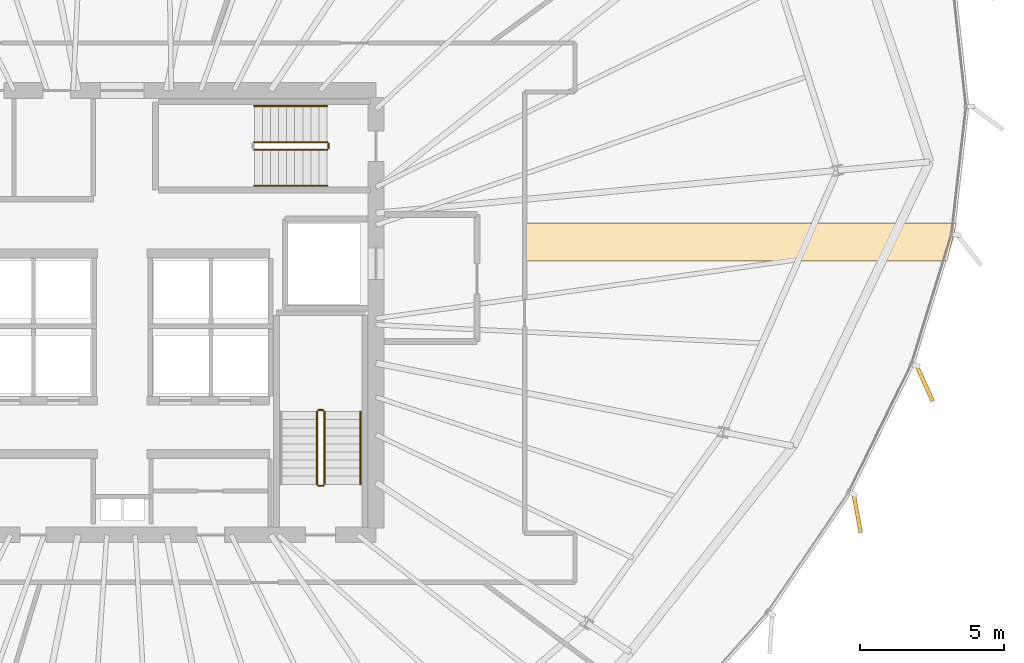
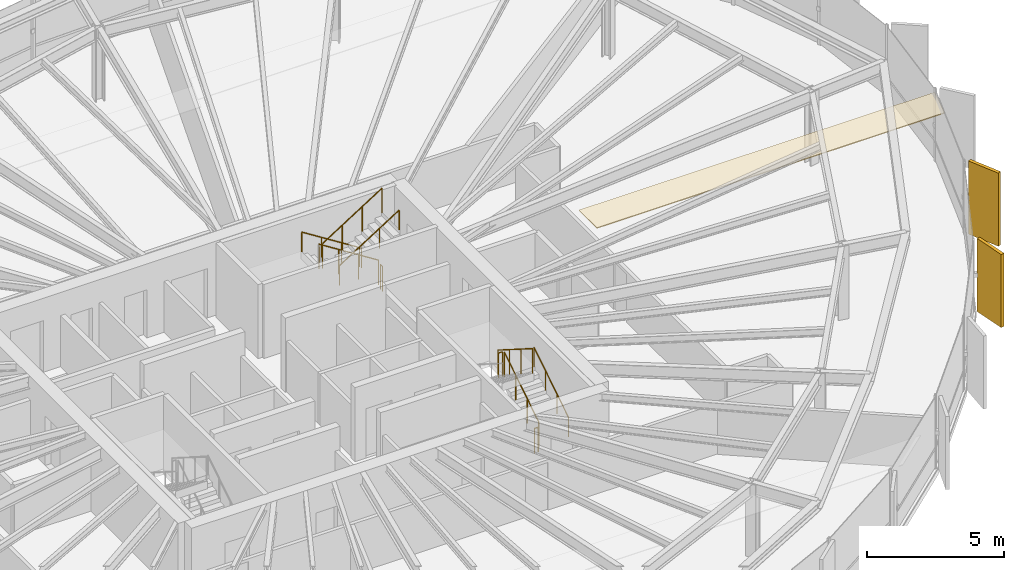
# One storey, part 35 of 36: 10 railings, 3 coverings.
"""IFC4 building model written with IfcOpenShell, lengths in metres."""

from ifc_helpers import new_model, si_unit, direction, frame, origin, origin_2d, place, context, subcontext, project, spatial, polyline, rectangle, circle, outline, extrude, source, transform, mapped, material, layer, layer_set, type_object, element, save


model = new_model("IFC4")

# Units and contexts
model_context = context("Model", 3, precision=1e-05, world=origin(), true_north=direction((0.0, 1.0)))
body_context = subcontext(model_context, "Body", "Model", "MODEL_VIEW")
ifc_project = project(units=[si_unit("LENGTHUNIT", "METRE"), si_unit("AREAUNIT", "SQUARE_METRE"), si_unit("VOLUMEUNIT", "CUBIC_METRE"), si_unit("PLANEANGLEUNIT", "RADIAN"), si_unit("MASSUNIT", "GRAM", prefix="KILO"), si_unit("THERMODYNAMICTEMPERATUREUNIT", "KELVIN")], contexts=[model_context])

# Site, building, storey
site_placement = place(None, origin())
site = spatial("IfcSite", under=ifc_project, at=site_placement, CompositionType="ELEMENT")
building_placement = place(site_placement, origin())
building = spatial("IfcBuilding", under=site, at=building_placement, Name="Kethvar Cultural Tower", CompositionType="ELEMENT")
storey_placement = place(building_placement, frame((0.0, 0.0, 150.10009765625)))
storey = spatial("IfcBuildingStorey", under=building, at=storey_placement, Name="L38", CompositionType="ELEMENT", Elevation=150.10009765625)

# Covering
ifc_material_1 = material(Name="Acoustic Mineral Fibre Ceiling")
ifc_layer_1 = layer(ifc_material_1, 0.0400390625, Name="Acoustic Mineral Fibre Ceiling")
ifc_layer_set_1 = layer_set([ifc_layer_1], Name="Acoustic Mineral Fibre Ceiling (40 mm)")
covering_type_1 = type_object("IfcCoveringType", Name="CV-ACOUSTIC-CEIL", PredefinedType="CEILING", material=ifc_layer_set_1)
covering_placement = place(storey_placement, frame((0.0, 0.0, 2.77978515625)))
element("IfcCovering", 1, at=covering_placement, inside=storey, type_object=covering_type_1, Name="L38 Room 03 Acoustic Ceiling Panel", PredefinedType="CEILING", context=body_context, shape_type="SweptSolid", body=[
    extrude(outline(polyline([(75.726806640625, 30.905517578125), (75.40087890625, 29.595703125), (60.72998046875, 29.595703125), (60.72998046875, 30.905517578125), (75.726806640625, 30.905517578125)])), origin(), (0.0, 0.0, 1.0), 0.0400390625),
])

# Railings
ifc_material_2 = material(Name="Steel S355J2", Category="steel")
railing_type_1 = type_object("IfcRailingType", Name="RL-STAIR-GUARD", PredefinedType="BALUSTRADE", material=ifc_material_2)
railing_1_placement = place(storey_placement, frame((53.81005859375, 21.85009765625, 0.177490234375)))
element("IfcRailing", 2, at=railing_1_placement, inside=storey, type_object=railing_type_1, Name="L38 ST-02 stair guard 1", PredefinedType="BALUSTRADE", context=body_context, shape_type="SweptSolid", body=[
    extrude(circle(Radius=0.02392578125, at=origin_2d()), frame((0.0, 0.0, 1.09619140625), z_axis=(0.0, 0.84460694969, 0.535386869969), x_axis=(-1.0, 0.0, 0.0)), (0.0, 0.0, 1.0), 2.983642578125),
    extrude(circle(Radius=0.02099609375, at=origin_2d()), origin(), (0.0, 0.0, 1.0), 1.072021484375),
    extrude(circle(Radius=0.02099609375, at=origin_2d()), frame((0.0, 0.840087890625, 0.532470703125)), (0.0, 0.0, 1.0), 1.072021484375),
    extrude(circle(Radius=0.02099609375, at=origin_2d()), frame((0.0, 1.679931640625, 1.06494140625)), (0.0, 0.0, 1.0), 1.072021484375),
    extrude(circle(Radius=0.02099609375, at=origin_2d()), frame((0.0, 2.52001953125, 1.597412109375)), (0.0, 0.0, 1.0), 1.072021484375),
])
railing_2_placement = place(storey_placement, frame((53.760009765625, 24.419921875, 1.77490234375)))
element("IfcRailing", 3, at=railing_2_placement, inside=storey, type_object=railing_type_1, Name="L38 ST-02 stair guard 2", PredefinedType="BALUSTRADE", context=body_context, shape_type="SweptSolid", body=[
    extrude(circle(Radius=0.02392578125, at=origin_2d()), frame((0.0, 0.0, 1.09619140625), z_axis=(-1.0, 0.0, 0.0), x_axis=(0.0, -1.0, 0.0)), (0.0, 0.0, 1.0), 0.159912109375),
    extrude(circle(Radius=0.02099609375, at=origin_2d()), origin(), (0.0, 0.0, 1.0), 1.072021484375),
    extrude(circle(Radius=0.02099609375, at=origin_2d()), frame((-0.159912109375, 0.0, 0.0)), (0.0, 0.0, 1.0), 1.072021484375),
])
railing_3_placement = place(storey_placement, frame((53.550048828125, 24.3701171875, 1.952392578125)))
element("IfcRailing", 4, at=railing_3_placement, inside=storey, type_object=railing_type_1, Name="L38 ST-02 stair guard 3", PredefinedType="BALUSTRADE", context=body_context, shape_type="SweptSolid", body=[
    extrude(circle(Radius=0.02392578125, at=origin_2d()), frame((0.0, 0.0, 1.09619140625), z_axis=(0.0, -0.84460694969, 0.535386869969), x_axis=(1.0, 0.0, 0.0)), (0.0, 0.0, 1.0), 2.983642578125),
    extrude(circle(Radius=0.02099609375, at=origin_2d()), origin(), (0.0, 0.0, 1.0), 1.072021484375),
    extrude(circle(Radius=0.02099609375, at=origin_2d()), frame((0.0, -0.840087890625, 0.532470703125)), (0.0, 0.0, 1.0), 1.072021484375),
    extrude(circle(Radius=0.02099609375, at=origin_2d()), frame((0.0, -1.679931640625, 1.06494140625)), (0.0, 0.0, 1.0), 1.072021484375),
    extrude(circle(Radius=0.02099609375, at=origin_2d()), frame((0.0, -2.52001953125, 1.597412109375)), (0.0, 0.0, 1.0), 1.072021484375),
])
railing_4_placement = place(storey_placement, frame((53.760009765625, 21.800048828125, 0.0)))
element("IfcRailing", 5, at=railing_4_placement, inside=storey, type_object=railing_type_1, Name="L38 ST-02 stair guard 4", PredefinedType="BALUSTRADE", context=body_context, shape_type="SweptSolid", body=[
    extrude(circle(Radius=0.02392578125, at=origin_2d()), frame((0.0, 0.0, 1.09619140625), z_axis=(-1.0, 0.0, 0.0), x_axis=(0.0, -1.0, 0.0)), (0.0, 0.0, 1.0), 0.159912109375),
    extrude(circle(Radius=0.02099609375, at=origin_2d()), origin(), (0.0, 0.0, 1.0), 1.072021484375),
    extrude(circle(Radius=0.02099609375, at=origin_2d()), frame((-0.159912109375, 0.0, 0.0)), (0.0, 0.0, 1.0), 1.072021484375),
])
railing_5_placement = place(storey_placement, frame((53.89990234375, 33.7099609375, 0.177490234375)))
element("IfcRailing", 6, at=railing_5_placement, inside=storey, type_object=railing_type_1, Name="L38 ST-03 stair guard 1", PredefinedType="BALUSTRADE", context=body_context, shape_type="SweptSolid", body=[
    extrude(circle(Radius=0.02392578125, at=origin_2d()), frame((0.0, 0.0, 1.09619140625), z_axis=(-0.84460694969, 0.0, 0.535386869969), x_axis=(0.0, -1.0, 0.0)), (0.0, 0.0, 1.0), 2.983642578125),
    extrude(circle(Radius=0.02099609375, at=origin_2d()), origin(), (0.0, 0.0, 1.0), 1.072021484375),
    extrude(circle(Radius=0.02099609375, at=origin_2d()), frame((-0.840087890625, 0.0, 0.532470703125)), (0.0, 0.0, 1.0), 1.072021484375),
    extrude(circle(Radius=0.02099609375, at=origin_2d()), frame((-1.679931640625, 0.0, 1.06494140625)), (0.0, 0.0, 1.0), 1.072021484375),
    extrude(circle(Radius=0.02099609375, at=origin_2d()), frame((-2.52001953125, 0.0, 1.597412109375)), (0.0, 0.0, 1.0), 1.072021484375),
])
railing_6_placement = place(storey_placement, frame((51.3798828125, 33.449951171875, 1.952392578125)))
element("IfcRailing", 7, at=railing_6_placement, inside=storey, type_object=railing_type_1, Name="L38 ST-03 stair guard 3", PredefinedType="BALUSTRADE", context=body_context, shape_type="SweptSolid", body=[
    extrude(circle(Radius=0.02392578125, at=origin_2d()), frame((0.0, 0.0, 1.09619140625), z_axis=(0.84460694969, 0.0, 0.535386869969), x_axis=(0.0, 1.0, 0.0)), (0.0, 0.0, 1.0), 2.983642578125),
    extrude(circle(Radius=0.02099609375, at=origin_2d()), origin(), (0.0, 0.0, 1.0), 1.072021484375),
    extrude(circle(Radius=0.02099609375, at=origin_2d()), frame((0.840087890625, 0.0, 0.532470703125)), (0.0, 0.0, 1.0), 1.072021484375),
    extrude(circle(Radius=0.02099609375, at=origin_2d()), frame((1.679931640625, 0.0, 1.06494140625)), (0.0, 0.0, 1.0), 1.072021484375),
    extrude(circle(Radius=0.02099609375, at=origin_2d()), frame((2.52001953125, 0.0, 1.597412109375)), (0.0, 0.0, 1.0), 1.072021484375),
])
railing_7_placement = place(storey_placement, frame((53.949951171875, 33.659912109375, 0.0)))
element("IfcRailing", 8, at=railing_7_placement, inside=storey, type_object=railing_type_1, Name="L38 ST-03 stair guard 4", PredefinedType="BALUSTRADE", context=body_context, shape_type="SweptSolid", body=[
    extrude(circle(Radius=0.02392578125, at=origin_2d()), frame((0.0, 0.0, 1.09619140625), z_axis=(0.0, -1.0, 0.0), x_axis=(1.0, 0.0, 0.0)), (0.0, 0.0, 1.0), 0.159912109375),
    extrude(circle(Radius=0.02099609375, at=origin_2d()), origin(), (0.0, 0.0, 1.0), 1.072021484375),
    extrude(circle(Radius=0.02099609375, at=origin_2d()), frame((0.0, -0.159912109375, 0.0)), (0.0, 0.0, 1.0), 1.072021484375),
])
railing_type_2 = type_object("IfcRailingType", Name="RL-STAIR-HANDRAIL", PredefinedType="HANDRAIL", material=ifc_material_2)
railing_8_placement = place(storey_placement, frame((55.06005859375, 21.85009765625, 0.177490234375)))
element("IfcRailing", 9, at=railing_8_placement, inside=storey, type_object=railing_type_2, Name="L38 ST-02 stair handrail 1", PredefinedType="HANDRAIL", context=body_context, shape_type="SweptSolid", body=[
    extrude(circle(Radius=0.02392578125, at=origin_2d()), frame((0.0, 0.0, 0.8759765625), z_axis=(0.0, 0.84460694969, 0.535386869969), x_axis=(-1.0, 0.0, 0.0)), (0.0, 0.0, 1.0), 2.983642578125),
    extrude(circle(Radius=0.02099609375, at=origin_2d()), origin(), (0.0, 0.0, 1.0), 0.851806640625),
    extrude(circle(Radius=0.02099609375, at=origin_2d()), frame((0.0, 0.840087890625, 0.532470703125)), (0.0, 0.0, 1.0), 0.851806640625),
    extrude(circle(Radius=0.02099609375, at=origin_2d()), frame((0.0, 1.679931640625, 1.06494140625)), (0.0, 0.0, 1.0), 0.851806640625),
    extrude(circle(Radius=0.02099609375, at=origin_2d()), frame((0.0, 2.52001953125, 1.597412109375)), (0.0, 0.0, 1.0), 0.851806640625),
])
railing_9_placement = place(storey_placement, frame((53.89990234375, 34.9599609375, 0.177490234375)))
element("IfcRailing", 10, at=railing_9_placement, inside=storey, type_object=railing_type_2, Name="L38 ST-03 stair handrail 1", PredefinedType="HANDRAIL", context=body_context, shape_type="SweptSolid", body=[
    extrude(circle(Radius=0.02392578125, at=origin_2d()), frame((0.0, 0.0, 0.8759765625), z_axis=(-0.84460694969, 0.0, 0.535386869969), x_axis=(0.0, -1.0, 0.0)), (0.0, 0.0, 1.0), 2.983642578125),
    extrude(circle(Radius=0.02099609375, at=origin_2d()), origin(), (0.0, 0.0, 1.0), 0.851806640625),
    extrude(circle(Radius=0.02099609375, at=origin_2d()), frame((-0.840087890625, 0.0, 0.532470703125)), (0.0, 0.0, 1.0), 0.851806640625),
    extrude(circle(Radius=0.02099609375, at=origin_2d()), frame((-1.679931640625, 0.0, 1.06494140625)), (0.0, 0.0, 1.0), 0.851806640625),
    extrude(circle(Radius=0.02099609375, at=origin_2d()), frame((-2.52001953125, 0.0, 1.597412109375)), (0.0, 0.0, 1.0), 0.851806640625),
])
railing_10_placement = place(storey_placement, frame((51.3798828125, 32.199951171875, 1.952392578125)))
element("IfcRailing", 11, at=railing_10_placement, inside=storey, type_object=railing_type_2, Name="L38 ST-03 stair handrail 2", PredefinedType="HANDRAIL", context=body_context, shape_type="SweptSolid", body=[
    extrude(circle(Radius=0.02392578125, at=origin_2d()), frame((0.0, 0.0, 0.8759765625), z_axis=(0.84460694969, 0.0, 0.535386869969), x_axis=(0.0, 1.0, 0.0)), (0.0, 0.0, 1.0), 2.983642578125),
    extrude(circle(Radius=0.02099609375, at=origin_2d()), origin(), (0.0, 0.0, 1.0), 0.851806640625),
    extrude(circle(Radius=0.02099609375, at=origin_2d()), frame((0.840087890625, 0.0, 0.532470703125)), (0.0, 0.0, 1.0), 0.851806640625),
    extrude(circle(Radius=0.02099609375, at=origin_2d()), frame((1.679931640625, 0.0, 1.06494140625)), (0.0, 0.0, 1.0), 0.851806640625),
    extrude(circle(Radius=0.02099609375, at=origin_2d()), frame((2.52001953125, 0.0, 1.597412109375)), (0.0, 0.0, 1.0), 0.851806640625),
])

# Coverings
ifc_material_3 = material(Name="Extruded Architectural Terracotta", Category="masonry")
ifc_layer_2 = layer(ifc_material_3, 0.135009765625, Name="Extruded Architectural Terracotta", Category="masonry")
ifc_layer_set_2 = layer_set([ifc_layer_2], Name="Extruded Architectural Terracotta (135 mm)")
covering_type_2 = type_object("IfcCoveringType", Name="Terracotta Facade Fin FIN-02", PredefinedType="CLADDING", material=ifc_layer_set_2)
shared_shape = source(origin(), body_context, "Body", "SweptSolid", [
    extrude(rectangle(XDim=1.35009765625, YDim=0.135009765625, at=origin_2d()), origin(), (0.0, 0.0, 1.0), 3.260009765625),
])
for number, where, z_axis, x_axis, name in (
    (12, (72.281005859375, 20.84228515625, 0.02001953125), (0.0, 0.0, 1.0), (0.182921922448, -0.983127443564, 0.0), "L38 Vertical Terracotta Fin 6.2"),
    (13, (74.62158203125, 25.34521484375, 0.02001953125), (0.0, 0.0, 1.0), (0.413422293217, -0.910539404678, 0.0), "L38 Vertical Terracotta Fin 6.3"),
):
    element("IfcCovering", number, at=place(storey_placement, frame(where, z_axis=z_axis, x_axis=x_axis)), inside=storey, type_object=covering_type_2, Name=name, PredefinedType="CLADDING", context=body_context, shape_type="MappedRepresentation", body=[
        mapped(shared_shape, transform((0.0, 0.0, 0.0), scale=1.0)),
    ])

save(model, "model.ifc")
